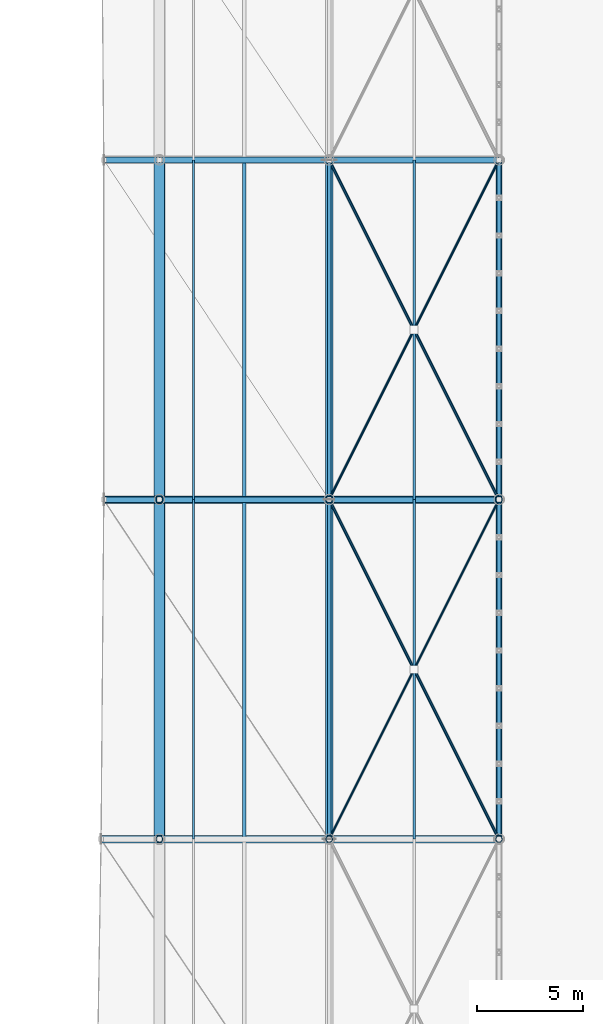
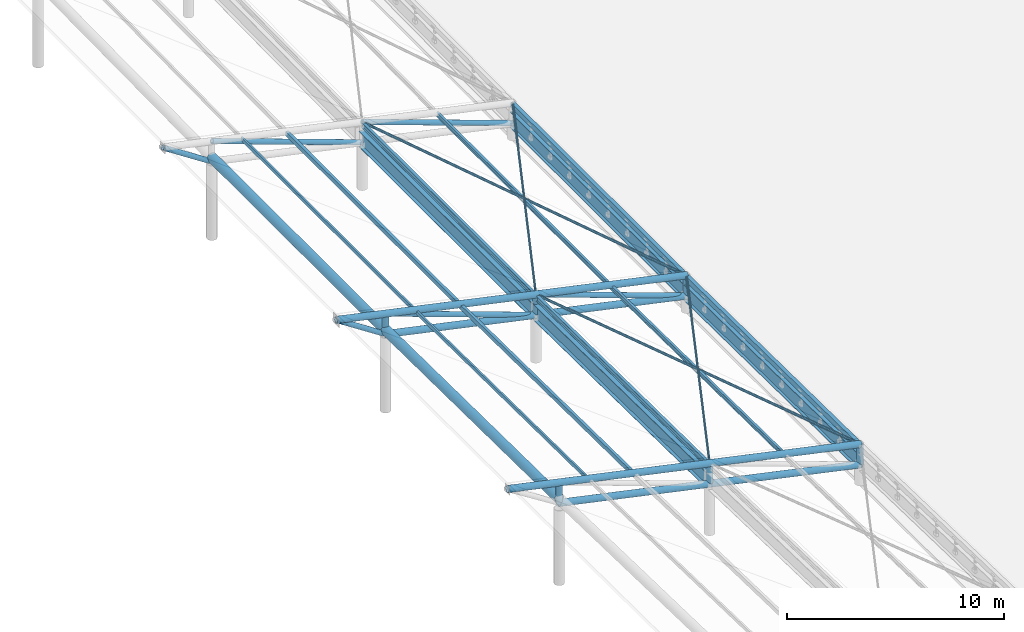
# One storey, part 22 of 54: 30 members, 8 beams.
"""IFC4 building model written with IfcOpenShell, lengths in metres."""

from ifc_helpers import new_model, si_unit, direction, frame, origin, origin_2d, place, context, subcontext, project, spatial, hollow_rectangle, hollow_circle, i_section, extrude, material, material_profile, profile_set, type_object, element, save


model = new_model("IFC4")

# Units and contexts
model_context = context("Model", 3, precision=1e-05, world=origin(), true_north=direction((0.0, 1.0)))
body_context = subcontext(model_context, "Body", "Model", "MODEL_VIEW")
ifc_project = project(units=[si_unit("LENGTHUNIT", "METRE"), si_unit("AREAUNIT", "SQUARE_METRE"), si_unit("VOLUMEUNIT", "CUBIC_METRE"), si_unit("PLANEANGLEUNIT", "RADIAN"), si_unit("MASSUNIT", "GRAM", prefix="KILO")], contexts=[model_context])

# Site, building, storey
site_placement = place(None, origin())
site = spatial("IfcSite", under=ifc_project, at=site_placement, CompositionType="ELEMENT")
building_placement = place(site_placement, origin())
building = spatial("IfcBuilding", under=site, at=building_placement, Name="Haebicheon Civic Stadium", CompositionType="ELEMENT")
storey_placement = place(building_placement, frame((0.0, 0.0, 22.800048828125)))
storey = spatial("IfcBuildingStorey", under=building, at=storey_placement, Name="L06", CompositionType="ELEMENT", Elevation=22.800048828125)

# Members
ifc_material_1 = material(Name="White painted steel SM490", Category="steel")
ifc_material_profile_1 = material_profile(ifc_material_1, hollow_circle(Radius=0.05712890625, WallThickness=0.006103515625, at=origin_2d()), Name="CHS-114.3x6.0")
ifc_profile_set_1 = profile_set([ifc_material_profile_1], Name="White painted steel SM490")
member_type_1 = type_object("IfcMemberType", Name="BRC-CHS114", PredefinedType="BRACE", material=ifc_profile_set_1)
for number, where, z_axis, x_axis, name in (
    (1, (208.0, 88.0, 1.97802734375), (-0.444629379338, -0.889258758677, 0.107347916355), (0.894427191, -0.4472135955, 0.0), "BR114 diagonal brace CAN-COMM canopy bay 2 B1"),
    (2, (203.968017578125, 79.93603515625, 2.951904296875), (-0.444629379338, -0.889258758677, 0.107347916355), (0.894427191, -0.4472135955, 0.0), "BR114 diagonal brace CAN-COMM canopy bay 2 B2"),
):
    element("IfcMember", number, at=place(storey_placement, frame(where, z_axis=z_axis, x_axis=x_axis)), inside=storey, type_object=member_type_1, material=ifc_profile_set_1, Name=name, PredefinedType="BRACE", context=body_context, shape_type="SweptSolid", body=[
        extrude(hollow_circle(Radius=0.05712890625, WallThickness=0.006103515625, at=origin_2d()), origin(), (0.0, 0.0, 1.0), 8.92431640625),
    ])
for number, where, z_axis, x_axis, name in (
    (3, (208.0, 104.0, 1.97802734375), (-0.445161035793, -0.890322071586, 0.095698803855), (0.894427191, -0.4472135955, 0.0), "BR114 diagonal brace CAN-COMM canopy bay 3 B1"),
    (4, (203.968017578125, 95.93603515625, 2.844970703125), (-0.445161035793, -0.890322071586, 0.095698803855), (0.894427191, -0.4472135955, 0.0), "BR114 diagonal brace CAN-COMM canopy bay 3 B2"),
):
    element("IfcMember", number, at=place(storey_placement, frame(where, z_axis=z_axis, x_axis=x_axis)), inside=storey, type_object=member_type_1, material=ifc_profile_set_1, Name=name, PredefinedType="BRACE", context=body_context, shape_type="SweptSolid", body=[
        extrude(hollow_circle(Radius=0.05712890625, WallThickness=0.006103515625, at=origin_2d()), origin(), (0.0, 0.0, 1.0), 8.91357421875),
    ])
ifc_material_2 = material(Name="White painted steel SM490", Category="steel")
ifc_material_profile_2 = material_profile(ifc_material_2, hollow_circle(Radius=0.06982421875, WallThickness=0.006591796875, at=origin_2d()), Name="CHS-139.8x6.6")
ifc_profile_set_2 = profile_set([ifc_material_profile_2], Name="White painted steel SM490")
member_type_2 = type_object("IfcMemberType", Name="BRC-CHS139", PredefinedType="BRACE", material=ifc_profile_set_2)
member_1_placement = place(storey_placement, frame((208.0, 72.0, 2.18994140625), z_axis=(-0.445632846396, 0.891265692793, 0.084004946661), x_axis=(-0.894427191, -0.4472135955, 0.0)))
element("IfcMember", 5, at=member_1_placement, inside=storey, type_object=member_type_2, material=ifc_profile_set_2, Name="BR139 diagonal brace CAN-COMM canopy bay 2 A", PredefinedType="BRACE", context=body_context, shape_type="SweptSolid", body=[
    extrude(hollow_circle(Radius=0.06982421875, WallThickness=0.006591796875, at=origin_2d()), origin(), (0.0, 0.0, 1.0), 17.951904296875),
])
member_2_placement = place(storey_placement, frame((208.0, 88.0, 1.97802734375), z_axis=(-0.445160644327, 0.890321288654, 0.095707908303), x_axis=(-0.894427191, -0.4472135955, 0.0)))
element("IfcMember", 6, at=member_2_placement, inside=storey, type_object=member_type_2, material=ifc_profile_set_2, Name="BR139 diagonal brace CAN-COMM canopy bay 3 A", PredefinedType="BRACE", context=body_context, shape_type="SweptSolid", body=[
    extrude(hollow_circle(Radius=0.06982421875, WallThickness=0.006591796875, at=origin_2d()), origin(), (0.0, 0.0, 1.0), 17.970947265625),
])
ifc_material_3 = material(Name="White painted steel SM490", Category="steel")
ifc_material_profile_3 = material_profile(ifc_material_3, hollow_circle(Radius=0.1337890625, WallThickness=0.011962890625, at=origin_2d()), Name="CHS-267.4x12.0")
ifc_profile_set_3 = profile_set([ifc_material_profile_3], Name="White painted steel SM490")
member_type_3 = type_object("IfcMemberType", Name="BRC-CHS267", PredefinedType="BRACE", material=ifc_profile_set_3)
member_3_placement = place(storey_placement, frame((191.883056640625, 88.0, 4.344970703125), z_axis=(-0.836811158368, 0.0, 0.547491630284), x_axis=(0.0, -1.0, 0.0)))
element("IfcMember", 7, at=member_3_placement, inside=storey, type_object=member_type_3, material=ifc_profile_set_3, Name="BR267 diagonal brace CAN-COMM truss 3 tip", PredefinedType="BRACE", context=body_context, shape_type="SweptSolid", body=[
    extrude(hollow_circle(Radius=0.1337890625, WallThickness=0.011962890625, at=origin_2d()), origin(), (0.0, 0.0, 1.0), 2.986328125),
])
for number, where, z_axis, x_axis, name in (
    (8, (208.0, 88.0, 0.827880859375), (-0.941257424358, 0.0, 0.337689888939), (0.0, -1.0, 0.0), "BR267 diagonal brace CAN-COMM truss 3 D1"),
    (9, (200.0, 88.0, 2.5478515625), (-0.941257424358, 0.0, 0.337689888939), (0.0, -1.0, 0.0), "BR267 diagonal brace CAN-COMM truss 3 D2"),
):
    element("IfcMember", number, at=place(storey_placement, frame(where, z_axis=z_axis, x_axis=x_axis)), inside=storey, type_object=member_type_3, material=ifc_profile_set_3, Name=name, PredefinedType="BRACE", context=body_context, shape_type="SweptSolid", body=[
        extrude(hollow_circle(Radius=0.1337890625, WallThickness=0.011962890625, at=origin_2d()), origin(), (0.0, 0.0, 1.0), 8.499267578125),
    ])
member_4_placement = place(storey_placement, frame((191.883056640625, 104.0, 4.344970703125), z_axis=(-0.836811158368, 0.0, 0.547491630284), x_axis=(0.0, -1.0, 0.0)))
element("IfcMember", 10, at=member_4_placement, inside=storey, type_object=member_type_3, material=ifc_profile_set_3, Name="BR267 diagonal brace CAN-COMM truss 4 tip", PredefinedType="BRACE", context=body_context, shape_type="SweptSolid", body=[
    extrude(hollow_circle(Radius=0.1337890625, WallThickness=0.011962890625, at=origin_2d()), origin(), (0.0, 0.0, 1.0), 2.986328125),
])
for number, where, z_axis, x_axis, name in (
    (11, (208.0, 104.0, 0.827880859375), (-0.941257424358, 0.0, 0.337689888939), (0.0, -1.0, 0.0), "BR267 diagonal brace CAN-COMM truss 4 D1"),
    (12, (200.0, 104.0, 2.5478515625), (-0.941257424358, 0.0, 0.337689888939), (0.0, -1.0, 0.0), "BR267 diagonal brace CAN-COMM truss 4 D2"),
):
    element("IfcMember", number, at=place(storey_placement, frame(where, z_axis=z_axis, x_axis=x_axis)), inside=storey, type_object=member_type_3, material=ifc_profile_set_3, Name=name, PredefinedType="BRACE", context=body_context, shape_type="SweptSolid", body=[
        extrude(hollow_circle(Radius=0.1337890625, WallThickness=0.011962890625, at=origin_2d()), origin(), (0.0, 0.0, 1.0), 8.499267578125),
    ])
ifc_material_4 = material(Name="White painted steel SM490", Category="steel")
ifc_material_profile_4 = material_profile(ifc_material_4, hollow_circle(Radius=0.177734375, WallThickness=0.01611328125, at=origin_2d()), Name="CHS-355.6x16.0")
ifc_profile_set_4 = profile_set([ifc_material_profile_4], Name="White painted steel SM490")
member_type_4 = type_object("IfcMemberType", Name="CHD-CHS355", PredefinedType="CHORD", material=ifc_profile_set_4)
member_5_placement = place(storey_placement, frame((208.0, 72.0, 2.18994140625), z_axis=(-0.977658132727, 0.0, 0.210201273812), x_axis=(0.0, -1.0, 0.0)))
element("IfcMember", 13, at=member_5_placement, inside=storey, type_object=member_type_4, material=ifc_profile_set_4, Name="CH355 truss chord CAN-COMM 2 top", PredefinedType="CHORD", context=body_context, shape_type="SweptSolid", body=[
    extrude(hollow_circle(Radius=0.177734375, WallThickness=0.01611328125, at=origin_2d()), origin(), (0.0, 0.0, 1.0), 19.172119140625),
])
member_6_placement = place(storey_placement, frame((208.0, 72.0, 1.0400390625), z_axis=(-0.977659849808, 0.0, 0.210193287411), x_axis=(0.0, -1.0, 0.0)))
element("IfcMember", 14, at=member_6_placement, inside=storey, type_object=member_type_4, material=ifc_profile_set_4, Name="CH355 truss chord CAN-COMM 2 bottom", PredefinedType="CHORD", context=body_context, shape_type="SweptSolid", body=[
    extrude(hollow_circle(Radius=0.177734375, WallThickness=0.01611328125, at=origin_2d()), origin(), (0.0, 0.0, 1.0), 16.36572265625),
])
member_7_placement = place(storey_placement, frame((208.0, 88.0, 1.97802734375), z_axis=(-0.977664291264, 0.0, 0.210172628063), x_axis=(0.0, -1.0, 0.0)))
element("IfcMember", 15, at=member_7_placement, inside=storey, type_object=member_type_4, material=ifc_profile_set_4, Name="CH355 truss chord CAN-COMM 3 top", PredefinedType="CHORD", context=body_context, shape_type="SweptSolid", body=[
    extrude(hollow_circle(Radius=0.177734375, WallThickness=0.01611328125, at=origin_2d()), origin(), (0.0, 0.0, 1.0), 19.041259765625),
])
member_8_placement = place(storey_placement, frame((208.0, 88.0, 0.827880859375), z_axis=(-0.977656784121, 0.0, 0.210207546159), x_axis=(0.0, -1.0, 0.0)))
element("IfcMember", 16, at=member_8_placement, inside=storey, type_object=member_type_4, material=ifc_profile_set_4, Name="CH355 truss chord CAN-COMM 3 bottom", PredefinedType="CHORD", context=body_context, shape_type="SweptSolid", body=[
    extrude(hollow_circle(Radius=0.177734375, WallThickness=0.01611328125, at=origin_2d()), origin(), (0.0, 0.0, 1.0), 16.36572265625),
])
ifc_material_5 = material(Name="White painted steel SM490", Category="steel")
ifc_material_profile_5 = material_profile(ifc_material_5, hollow_rectangle(XDim=0.10009765625, YDim=0.199951171875, WallThickness=0.008056640625, at=origin_2d()), Name="RHS-200x100x8.0")
ifc_profile_set_5 = profile_set([ifc_material_profile_5], Name="White painted steel SM490")
member_type_5 = type_object("IfcMemberType", Name="PRL-RHS200", PredefinedType="RAFTER", material=ifc_profile_set_5)
member_9_placement = place(storey_placement, frame((193.60009765625, 72.0, 5.218994140625), z_axis=(0.0, 0.99991209928, -0.013258722142), x_axis=(-1.0, 0.0, 0.0)))
element("IfcMember", 17, at=member_9_placement, inside=storey, type_object=member_type_5, material=ifc_profile_set_5, Name="CAN-COMM canopy purlin bay 2 (90%)", PredefinedType="RAFTER", context=body_context, shape_type="SweptSolid", body=[
    extrude(hollow_rectangle(XDim=0.10009765625, YDim=0.199951171875, WallThickness=0.008056640625, at=origin_2d()), origin(), (0.0, 0.0, 1.0), 16.00146484375),
])
member_10_placement = place(storey_placement, frame((193.60009765625, 88.0, 5.0068359375), z_axis=(0.0, 1.0, 0.0), x_axis=(-1.0, 0.0, 0.0)))
element("IfcMember", 18, at=member_10_placement, inside=storey, type_object=member_type_5, material=ifc_profile_set_5, Name="CAN-COMM canopy purlin bay 3 (90%)", PredefinedType="RAFTER", context=body_context, shape_type="SweptSolid", body=[
    extrude(hollow_rectangle(XDim=0.10009765625, YDim=0.199951171875, WallThickness=0.008056640625, at=origin_2d()), origin(), (0.0, 0.0, 1.0), 16.0),
])
ifc_material_6 = material(Name="White painted steel SM490", Category="steel")
ifc_material_profile_6 = material_profile(ifc_material_6, hollow_rectangle(XDim=0.14990234375, YDim=0.25, WallThickness=0.010009765625, at=origin_2d()), Name="RHS-250x150x10.0")
ifc_profile_set_6 = profile_set([ifc_material_profile_6], Name="White painted steel SM490")
member_type_6 = type_object("IfcMemberType", Name="PRL-RHS250", PredefinedType="PURLIN", material=ifc_profile_set_6)
member_11_placement = place(storey_placement, frame((196.0, 72.0, 4.677978515625), z_axis=(0.0, 0.99991230144, -0.013243467371), x_axis=(-1.0, 0.0, 0.0)))
element("IfcMember", 19, at=member_11_placement, inside=storey, type_object=member_type_6, material=ifc_profile_set_6, Name="CAN-COMM canopy purlin bay 2 (75%)", PredefinedType="PURLIN", context=body_context, shape_type="SweptSolid", body=[
    extrude(hollow_rectangle(XDim=0.14990234375, YDim=0.25, WallThickness=0.010009765625, at=origin_2d()), origin(), (0.0, 0.0, 1.0), 16.00146484375),
])
member_12_placement = place(storey_placement, frame((196.0, 88.0, 4.466064453125), z_axis=(0.0, 1.0, 0.0), x_axis=(-1.0, 0.0, 0.0)))
element("IfcMember", 20, at=member_12_placement, inside=storey, type_object=member_type_6, material=ifc_profile_set_6, Name="CAN-COMM canopy purlin bay 3 (75%)", PredefinedType="PURLIN", context=body_context, shape_type="SweptSolid", body=[
    extrude(hollow_rectangle(XDim=0.14990234375, YDim=0.25, WallThickness=0.010009765625, at=origin_2d()), origin(), (0.0, 0.0, 1.0), 16.0),
])
ifc_material_7 = material(Name="White painted steel SM490", Category="steel")
ifc_material_profile_7 = material_profile(ifc_material_7, i_section(OverallWidth=0.125, OverallDepth=0.25, WebThickness=0.006103515625, FlangeThickness=0.009033203125, at=origin_2d()), Name="H-250x125x6x9")
ifc_profile_set_7 = profile_set([ifc_material_profile_7], Name="White painted steel SM490")
member_type_7 = type_object("IfcMemberType", Name="PRL-ST-H250", PredefinedType="PURLIN", material=ifc_profile_set_7)
member_13_placement = place(storey_placement, frame((204.0, 72.0, 2.9580078125), z_axis=(0.0, 0.99991209928, -0.013258722142), x_axis=(-1.0, 0.0, 0.0)))
element("IfcMember", 21, at=member_13_placement, inside=storey, type_object=member_type_7, material=ifc_profile_set_7, Name="CAN-COMM canopy purlin bay 2 (25%)", PredefinedType="PURLIN", context=body_context, shape_type="SweptSolid", body=[
    extrude(i_section(OverallWidth=0.125, OverallDepth=0.25, WebThickness=0.006103515625, FlangeThickness=0.009033203125, at=origin_2d()), origin(), (0.0, 0.0, 1.0), 16.00146484375),
])
member_14_placement = place(storey_placement, frame((204.0, 88.0, 2.745849609375), z_axis=(0.0, 1.0, 0.0), x_axis=(-1.0, 0.0, 0.0)))
element("IfcMember", 22, at=member_14_placement, inside=storey, type_object=member_type_7, material=ifc_profile_set_7, Name="CAN-COMM canopy purlin bay 3 (25%)", PredefinedType="PURLIN", context=body_context, shape_type="SweptSolid", body=[
    extrude(i_section(OverallWidth=0.125, OverallDepth=0.25, WebThickness=0.006103515625, FlangeThickness=0.009033203125, at=origin_2d()), origin(), (0.0, 0.0, 1.0), 16.0),
])
ifc_material_8 = material(Name="White painted steel SM490", Category="steel")
ifc_material_profile_8 = material_profile(ifc_material_8, i_section(OverallWidth=0.14990234375, OverallDepth=0.300048828125, WebThickness=0.006591796875, FlangeThickness=0.009033203125, at=origin_2d()), Name="H-300x150x6.5x9")
ifc_profile_set_8 = profile_set([ifc_material_profile_8], Name="White painted steel SM490")
member_type_8 = type_object("IfcMemberType", Name="PRL-ST-H300", PredefinedType="PURLIN", material=ifc_profile_set_8)
member_15_placement = place(storey_placement, frame((200.0, 72.0, 3.79296875), z_axis=(0.0, 0.99991230144, -0.013243467371), x_axis=(-1.0, 0.0, 0.0)))
element("IfcMember", 23, at=member_15_placement, inside=storey, type_object=member_type_8, material=ifc_profile_set_8, Name="CAN-COMM canopy purlin bay 2 (50%)", PredefinedType="PURLIN", context=body_context, shape_type="SweptSolid", body=[
    extrude(i_section(OverallWidth=0.14990234375, OverallDepth=0.300048828125, WebThickness=0.006591796875, FlangeThickness=0.009033203125, at=origin_2d()), origin(), (0.0, 0.0, 1.0), 16.00146484375),
])
member_16_placement = place(storey_placement, frame((200.0, 88.0, 3.5810546875), z_axis=(0.0, 1.0, 0.0), x_axis=(-1.0, 0.0, 0.0)))
element("IfcMember", 24, at=member_16_placement, inside=storey, type_object=member_type_8, material=ifc_profile_set_8, Name="CAN-COMM canopy purlin bay 3 (50%)", PredefinedType="PURLIN", context=body_context, shape_type="SweptSolid", body=[
    extrude(i_section(OverallWidth=0.14990234375, OverallDepth=0.300048828125, WebThickness=0.006591796875, FlangeThickness=0.009033203125, at=origin_2d()), origin(), (0.0, 0.0, 1.0), 16.0),
])

# Beams
ifc_material_9 = material(Name="White painted steel SM490", Category="steel")
ifc_material_profile_9 = material_profile(ifc_material_9, hollow_circle(Radius=0.25390625, WallThickness=0.02490234375, at=origin_2d()), Name="CHS-508.0x25.0")
ifc_profile_set_9 = profile_set([ifc_material_profile_9], Name="White painted steel SM490")
beam_type_1 = type_object("IfcBeamType", Name="RB-ST-CHS508", PredefinedType="USERDEFINED", material=ifc_profile_set_9)
beam_1_placement = place(storey_placement, frame((192.0, 72.0, 4.72998046875), z_axis=(0.0, 0.99991230144, -0.013243467371), x_axis=(-1.0, 0.0, 0.0)))
element("IfcBeam", 25, at=beam_1_placement, inside=storey, type_object=beam_type_1, material=ifc_profile_set_9, Name="CAN-COMM polygonal ring beam RB-PIR bay 2", ObjectType="RING BEAM", PredefinedType="USERDEFINED", context=body_context, shape_type="SweptSolid", body=[
    extrude(hollow_circle(Radius=0.25390625, WallThickness=0.02490234375, at=origin_2d()), origin(), (0.0, 0.0, 1.0), 16.00146484375),
])
beam_2_placement = place(storey_placement, frame((192.0, 88.0, 4.51806640625), z_axis=(0.0, 1.0, 0.0), x_axis=(-1.0, 0.0, 0.0)))
element("IfcBeam", 26, at=beam_2_placement, inside=storey, type_object=beam_type_1, material=ifc_profile_set_9, Name="CAN-COMM polygonal ring beam RB-PIR bay 3", ObjectType="RING BEAM", PredefinedType="USERDEFINED", context=body_context, shape_type="SweptSolid", body=[
    extrude(hollow_circle(Radius=0.25390625, WallThickness=0.02490234375, at=origin_2d()), origin(), (0.0, 0.0, 1.0), 16.0),
])
ifc_material_10 = material(Name="White painted steel SM490", Category="steel")
ifc_material_profile_10 = material_profile(ifc_material_10, i_section(OverallWidth=0.35009765625, OverallDepth=0.89990234375, WebThickness=0.01806640625, FlangeThickness=0.031982421875, at=origin_2d()), Name="H-900x350x18x32")
ifc_profile_set_10 = profile_set([ifc_material_profile_10], Name="White painted steel SM490")
beam_type_2 = type_object("IfcBeamType", Name="RB-ST-H900A", PredefinedType="USERDEFINED", material=ifc_profile_set_10)
beam_3_placement = place(storey_placement, frame((200.0, 72.0, 3.010009765625), z_axis=(0.0, 0.99991209928, -0.013258722142), x_axis=(-1.0, 0.0, 0.0)))
element("IfcBeam", 27, at=beam_3_placement, inside=storey, type_object=beam_type_2, material=ifc_profile_set_10, Name="CAN-COMM polygonal ring beam RB-PIV bay 2", ObjectType="RING BEAM", PredefinedType="USERDEFINED", context=body_context, shape_type="SweptSolid", body=[
    extrude(i_section(OverallWidth=0.35009765625, OverallDepth=0.89990234375, WebThickness=0.01806640625, FlangeThickness=0.031982421875, at=origin_2d()), origin(), (0.0, 0.0, 1.0), 16.00146484375),
])
beam_4_placement = place(storey_placement, frame((200.0, 88.0, 2.7978515625), z_axis=(0.0, 1.0, 0.0), x_axis=(-1.0, 0.0, 0.0)))
element("IfcBeam", 28, at=beam_4_placement, inside=storey, type_object=beam_type_2, material=ifc_profile_set_10, Name="CAN-COMM polygonal ring beam RB-PIV bay 3", ObjectType="RING BEAM", PredefinedType="USERDEFINED", context=body_context, shape_type="SweptSolid", body=[
    extrude(i_section(OverallWidth=0.35009765625, OverallDepth=0.89990234375, WebThickness=0.01806640625, FlangeThickness=0.031982421875, at=origin_2d()), origin(), (0.0, 0.0, 1.0), 16.0),
])
ifc_material_11 = material(Name="White painted steel SM490", Category="steel")
ifc_material_profile_11 = material_profile(ifc_material_11, i_section(OverallWidth=0.300048828125, OverallDepth=0.89990234375, WebThickness=0.01611328125, FlangeThickness=0.028076171875, at=origin_2d()), Name="H-900x300x16x28")
ifc_profile_set_11 = profile_set([ifc_material_profile_11], Name="White painted steel SM490")
beam_type_3 = type_object("IfcBeamType", Name="RB-ST-H900B", PredefinedType="USERDEFINED", material=ifc_profile_set_11)
beam_5_placement = place(storey_placement, frame((208.0, 72.0, 1.2900390625), z_axis=(0.0, 0.99991209928, -0.013258722142), x_axis=(-1.0, 0.0, 0.0)))
element("IfcBeam", 29, at=beam_5_placement, inside=storey, type_object=beam_type_3, material=ifc_profile_set_11, Name="CAN-COMM polygonal ring beam RB-BCK bay 2", ObjectType="RING BEAM", PredefinedType="USERDEFINED", context=body_context, shape_type="SweptSolid", body=[
    extrude(i_section(OverallWidth=0.300048828125, OverallDepth=0.89990234375, WebThickness=0.01611328125, FlangeThickness=0.028076171875, at=origin_2d()), origin(), (0.0, 0.0, 1.0), 16.00146484375),
])
beam_6_placement = place(storey_placement, frame((208.0, 88.0, 1.077880859375), z_axis=(0.0, 1.0, 0.0), x_axis=(-1.0, 0.0, 0.0)))
element("IfcBeam", 30, at=beam_6_placement, inside=storey, type_object=beam_type_3, material=ifc_profile_set_11, Name="CAN-COMM polygonal ring beam RB-BCK bay 3", ObjectType="RING BEAM", PredefinedType="USERDEFINED", context=body_context, shape_type="SweptSolid", body=[
    extrude(i_section(OverallWidth=0.300048828125, OverallDepth=0.89990234375, WebThickness=0.01611328125, FlangeThickness=0.028076171875, at=origin_2d()), origin(), (0.0, 0.0, 1.0), 16.0),
])
ifc_material_12 = material(Name="White painted steel SM490", Category="steel")
ifc_material_profile_12 = material_profile(ifc_material_12, hollow_rectangle(XDim=0.199951171875, YDim=0.300048828125, WallThickness=0.011962890625, at=origin_2d()), Name="RHS-300x200x12.0")
ifc_profile_set_12 = profile_set([ifc_material_profile_12], Name="White painted steel SM490")
beam_type_4 = type_object("IfcBeamType", Name="RB-ST-RHS300", PredefinedType="USERDEFINED", material=ifc_profile_set_12)
beam_7_placement = place(storey_placement, frame((208.0, 72.0, 2.08984375), z_axis=(0.0, 0.99991230144, -0.013243467371), x_axis=(-1.0, 0.0, 0.0)))
element("IfcBeam", 31, at=beam_7_placement, inside=storey, type_object=beam_type_4, material=ifc_profile_set_12, Name="CAN-COMM polygonal ring beam RB-TOP bay 2", ObjectType="RING BEAM", PredefinedType="USERDEFINED", context=body_context, shape_type="SweptSolid", body=[
    extrude(hollow_rectangle(XDim=0.199951171875, YDim=0.300048828125, WallThickness=0.011962890625, at=origin_2d()), origin(), (0.0, 0.0, 1.0), 16.00146484375),
])
beam_8_placement = place(storey_placement, frame((208.0, 88.0, 1.8779296875), z_axis=(0.0, 1.0, 0.0), x_axis=(-1.0, 0.0, 0.0)))
element("IfcBeam", 32, at=beam_8_placement, inside=storey, type_object=beam_type_4, material=ifc_profile_set_12, Name="CAN-COMM polygonal ring beam RB-TOP bay 3", ObjectType="RING BEAM", PredefinedType="USERDEFINED", context=body_context, shape_type="SweptSolid", body=[
    extrude(hollow_rectangle(XDim=0.199951171875, YDim=0.300048828125, WallThickness=0.011962890625, at=origin_2d()), origin(), (0.0, 0.0, 1.0), 16.0),
])

# Members
ifc_material_13 = material(Name="White painted steel SM490", Category="steel")
ifc_material_profile_13 = material_profile(ifc_material_13, hollow_circle(Radius=0.1591796875, WallThickness=0.013916015625, at=origin_2d()), Name="CHS-318.5x14.0")
ifc_profile_set_13 = profile_set([ifc_material_profile_13], Name="White painted steel SM490")
member_type_9 = type_object("IfcMemberType", Name="STR-CHS318", PredefinedType="STRUT", material=ifc_profile_set_13)
for number, where, z_axis, x_axis, name in (
    (33, (208.0, 72.0, 1.0400390625), (0.0, 0.0, 1.0), (1.0, 0.0, 0.0), "ST318 web strut CAN-COMM truss 2 VB"),
    (34, (200.0, 72.0, 2.760009765625), (0.0, 0.0, 1.0), (1.0, 0.0, 0.0), "ST318 web strut CAN-COMM truss 2 VP"),
    (35, (192.0, 72.0, 4.47998046875), (0.0, 0.0, 1.0), (1.0, 0.0, 0.0), "ST318 web strut CAN-COMM truss 2 VR"),
):
    element("IfcMember", number, at=place(storey_placement, frame(where, z_axis=z_axis, x_axis=x_axis)), inside=storey, type_object=member_type_9, material=ifc_profile_set_13, Name=name, PredefinedType="STRUT", context=body_context, shape_type="SweptSolid", body=[
        extrude(hollow_circle(Radius=0.1591796875, WallThickness=0.013916015625, at=origin_2d()), origin(), (0.0, 0.0, 1.0), 1.14990234375),
    ])
for number, where, z_axis, x_axis, name in (
    (36, (208.0, 88.0, 0.827880859375), (0.0, 0.0, 1.0), (1.0, 0.0, 0.0), "ST318 web strut CAN-COMM truss 3 VB"),
    (37, (200.0, 88.0, 2.5478515625), (0.0, 0.0, 1.0), (1.0, 0.0, 0.0), "ST318 web strut CAN-COMM truss 3 VP"),
):
    element("IfcMember", number, at=place(storey_placement, frame(where, z_axis=z_axis, x_axis=x_axis)), inside=storey, type_object=member_type_9, material=ifc_profile_set_13, Name=name, PredefinedType="STRUT", context=body_context, shape_type="SweptSolid", body=[
        extrude(hollow_circle(Radius=0.1591796875, WallThickness=0.013916015625, at=origin_2d()), origin(), (0.0, 0.0, 1.0), 1.150146484375),
    ])
member_17_placement = place(storey_placement, frame((192.0, 88.0, 4.26806640625), z_axis=(0.0, 0.0, 1.0), x_axis=(1.0, 0.0, 0.0)))
element("IfcMember", 38, at=member_17_placement, inside=storey, type_object=member_type_9, material=ifc_profile_set_13, Name="ST318 web strut CAN-COMM truss 3 VR", PredefinedType="STRUT", context=body_context, shape_type="SweptSolid", body=[
    extrude(hollow_circle(Radius=0.1591796875, WallThickness=0.013916015625, at=origin_2d()), origin(), (0.0, 0.0, 1.0), 1.14990234375),
])

save(model, "model.ifc")
